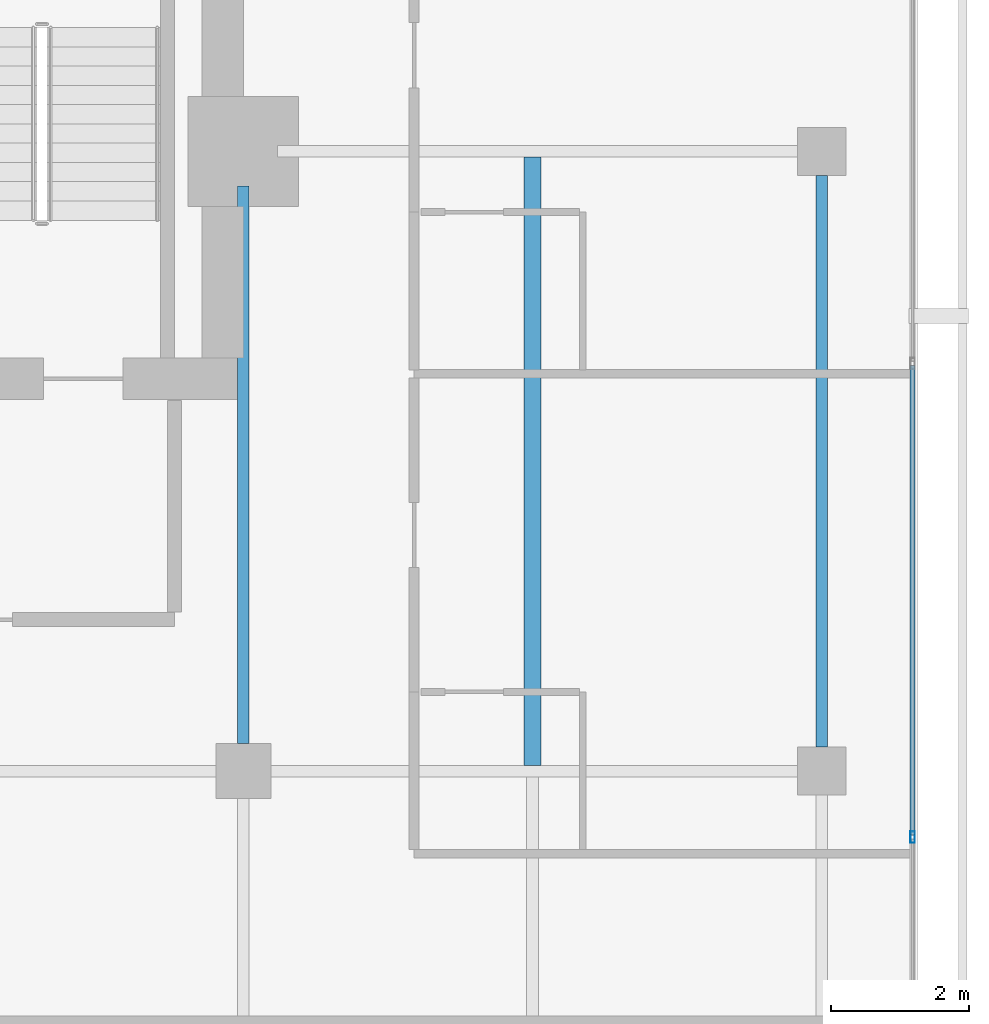
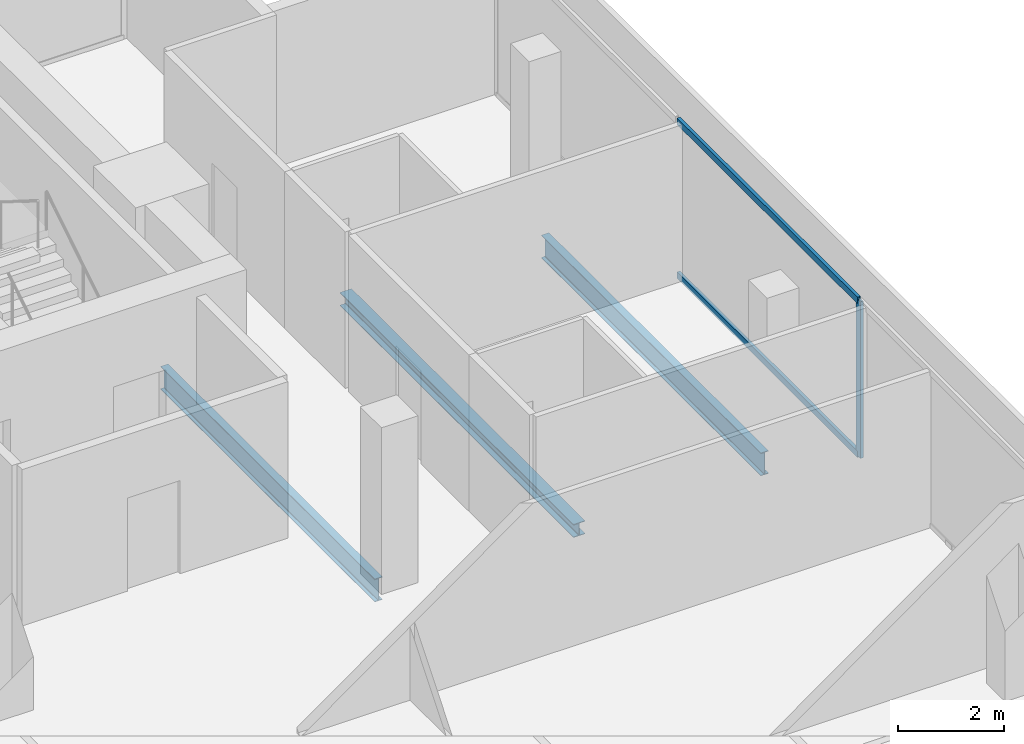
# One storey, part 15 of 26: 3 beams, 3 members, 1 element without a shape of its own.
"""IFC4 building model written with IfcOpenShell, lengths in metres."""

from ifc_helpers import new_model, si_unit, direction, frame, origin, origin_2d, place, context, subcontext, project, spatial, hollow_rectangle, i_section, extrude, material, layer, layer_set, material_profile, profile_set, type_object, element, aggregate, save


model = new_model("IFC4")

# Units and contexts
model_context = context("Model", 3, precision=1e-05, world=origin(), true_north=direction((0.0, 1.0)))
body_context = subcontext(model_context, "Body", "Model", "MODEL_VIEW")
ifc_project = project(units=[si_unit("LENGTHUNIT", "METRE"), si_unit("AREAUNIT", "SQUARE_METRE"), si_unit("VOLUMEUNIT", "CUBIC_METRE"), si_unit("PLANEANGLEUNIT", "RADIAN"), si_unit("MASSUNIT", "GRAM", prefix="KILO")], contexts=[model_context])

# Site, building, storey
site_placement = place(None, origin())
site = spatial("IfcSite", under=ifc_project, at=site_placement, CompositionType="ELEMENT")
building_placement = place(site_placement, origin())
building = spatial("IfcBuilding", under=site, at=building_placement, Name="Maruvema Waterfront Hotel and Observation Tower", CompositionType="ELEMENT")
storey_placement = place(building_placement, frame((0.0, 0.0, 301.0)))
storey = spatial("IfcBuildingStorey", under=building, at=storey_placement, Name="L74", CompositionType="ELEMENT", Elevation=301.0)

# Curtain wall, members
ifc_material_1 = material(Name="Anodised bronze aluminium and solar-control low-E IGU", Category="aluminium")
ifc_layer = layer(ifc_material_1, 0.159912109375, Name="Zone 3 Champagne Inner Thermal Curtain Wall System CW-04")
ifc_layer_set = layer_set([ifc_layer], Name="Anodised bronze aluminium and solar-control low-E IGU")
curtain_wall_type = type_object("IfcCurtainWallType", Name="Zone 3 Champagne Inner Thermal Curtain Wall System CW-04", PredefinedType="USERDEFINED", material=ifc_layer_set)
curtain_wall_placement = place(storey_placement, origin())
curtain_wall = element("IfcCurtainWall", 1, at=curtain_wall_placement, inside=storey, type_object=curtain_wall_type, Name="L74 Curtain Wall CW-L74-E", ObjectType="UNITISED CURTAIN WALL", PredefinedType="USERDEFINED")
ifc_material_2 = material(Name="Anodised architectural bronze aluminium", Category="aluminium")
ifc_material_profile_1 = material_profile(ifc_material_2, hollow_rectangle(XDim=0.070068359375, YDim=0.14990234375, WallThickness=0.00390625, at=origin_2d()), Name="ALU-T70x150")
ifc_profile_set_1 = profile_set([ifc_material_profile_1], Name="Anodised architectural bronze aluminium")
member_type_1 = type_object("IfcMemberType", Name="Curtain Wall Horizontal Transom ALU-T70x150", PredefinedType="USERDEFINED", material=ifc_profile_set_1)
member_1_placement = place(storey_placement, frame((60.1201171875, 35.070068359375, 0.030029296875), z_axis=(0.0, 1.0, 0.0), x_axis=(-1.0, 0.0, 0.0)))
member_1 = element("IfcMember", 2, at=member_1_placement, type_object=member_type_1, Name="CW-04 transom 4.1", ObjectType="TRANSOM", PredefinedType="USERDEFINED", context=body_context, shape_type="SweptSolid", body=[
    extrude(hollow_rectangle(XDim=0.070068359375, YDim=0.14990234375, WallThickness=0.00390625, at=origin_2d()), origin(), (0.0, 0.0, 1.0), 6.81982421875),
])
member_2_placement = place(storey_placement, frame((60.1201171875, 35.070068359375, 3.580078125), z_axis=(0.0, 1.0, 0.0), x_axis=(-1.0, 0.0, 0.0)))
member_2 = element("IfcMember", 3, at=member_2_placement, type_object=member_type_1, Name="CW-04 transom 4.2", ObjectType="TRANSOM", PredefinedType="USERDEFINED", context=body_context, shape_type="SweptSolid", body=[
    extrude(hollow_rectangle(XDim=0.070068359375, YDim=0.14990234375, WallThickness=0.00390625, at=origin_2d()), origin(), (0.0, 0.0, 1.0), 6.81982421875),
])
ifc_material_3 = material(Name="Anodised architectural bronze aluminium", Category="aluminium")
ifc_material_profile_2 = material_profile(ifc_material_3, hollow_rectangle(XDim=0.06494140625, YDim=0.1650390625, WallThickness=0.00390625, at=origin_2d()), Name="ALU-M65x165")
ifc_profile_set_2 = profile_set([ifc_material_profile_2], Name="Anodised architectural bronze aluminium")
member_type_2 = type_object("IfcMemberType", Name="Curtain Wall Primary Mullion ALU-M65x165", PredefinedType="MULLION", material=ifc_profile_set_2)
member_3_placement = place(storey_placement, frame((60.1201171875, 35.0400390625, 0.0), z_axis=(0.0, 0.0, 1.0), x_axis=(-1.0, 0.0, 0.0)))
member_3 = element("IfcMember", 4, at=member_3_placement, type_object=member_type_2, Name="CW-04 mullion 4", PredefinedType="MULLION", context=body_context, shape_type="SweptSolid", body=[
    extrude(hollow_rectangle(XDim=0.06494140625, YDim=0.1650390625, WallThickness=0.00390625, at=origin_2d()), origin(), (0.0, 0.0, 1.0), 3.610107421875),
])
aggregate(curtain_wall, [member_3, member_1, member_2])

# Beams
ifc_material_4 = material(Name="Steel ASTM A572 Grade 50", Category="steel")
ifc_material_profile_3 = material_profile(ifc_material_4, i_section(OverallWidth=0.166015625, OverallDepth=0.529052734375, WebThickness=0.009765625, FlangeThickness=0.013671875, FilletRadius=0.014892578125, at=origin_2d()), Name="W530x74.0")
ifc_profile_set_3 = profile_set([ifc_material_profile_3], Name="Steel ASTM A572 Grade 50")
beam_type_1 = type_object("IfcBeamType", Name="Primary Floor Girder W530x74.0", PredefinedType="BEAM", material=ifc_profile_set_3)
beam_1_placement = place(storey_placement, frame((50.39990234375, 36.39990234375, -0.50439453125), z_axis=(0.0, 1.0, 0.0), x_axis=(-1.0, 0.0, 0.0)))
element("IfcBeam", 5, at=beam_1_placement, inside=storey, type_object=beam_type_1, Name="L74 Floor Girder NS-15", PredefinedType="BEAM", context=body_context, shape_type="SweptSolid", body=[
    extrude(i_section(OverallWidth=0.166015625, OverallDepth=0.529052734375, WebThickness=0.009765625, FlangeThickness=0.013671875, FilletRadius=0.014892578125, at=origin_2d()), origin(), (0.0, 0.0, 1.0), 8.10009765625),
])
beam_2_placement = place(storey_placement, frame((58.800048828125, 36.35009765625, -0.50439453125), z_axis=(0.0, 1.0, 0.0), x_axis=(-1.0, 0.0, 0.0)))
element("IfcBeam", 6, at=beam_2_placement, inside=storey, type_object=beam_type_1, Name="L74 Floor Girder NS-18", PredefinedType="BEAM", context=body_context, shape_type="SweptSolid", body=[
    extrude(i_section(OverallWidth=0.166015625, OverallDepth=0.529052734375, WebThickness=0.009765625, FlangeThickness=0.013671875, FilletRadius=0.014892578125, at=origin_2d()), origin(), (0.0, 0.0, 1.0), 8.2998046875),
])
ifc_material_5 = material(Name="Steel ASTM A572 Grade 50", Category="steel")
ifc_material_profile_4 = material_profile(ifc_material_5, i_section(OverallWidth=0.25390625, OverallDepth=0.305908203125, WebThickness=0.0087890625, FlangeThickness=0.0146484375, FilletRadius=0.014892578125, at=origin_2d()), Name="W310x79.0")
ifc_profile_set_4 = profile_set([ifc_material_profile_4], Name="Steel ASTM A572 Grade 50")
beam_type_2 = type_object("IfcBeamType", Name="Secondary Floor Joist W310x79.0", PredefinedType="JOIST", material=ifc_profile_set_4)
beam_3_placement = place(storey_placement, frame((54.60009765625, 36.0830078125, -0.39306640625), z_axis=(0.0, 1.0, 0.0), x_axis=(-1.0, 0.0, 0.0)))
element("IfcBeam", 7, at=beam_3_placement, inside=storey, type_object=beam_type_2, Name="L74 Secondary Floor Joist JS-09", PredefinedType="JOIST", context=body_context, shape_type="SweptSolid", body=[
    extrude(i_section(OverallWidth=0.25390625, OverallDepth=0.305908203125, WebThickness=0.0087890625, FlangeThickness=0.0146484375, FilletRadius=0.014892578125, at=origin_2d()), origin(), (0.0, 0.0, 1.0), 8.833984375),
])

save(model, "model.ifc")
